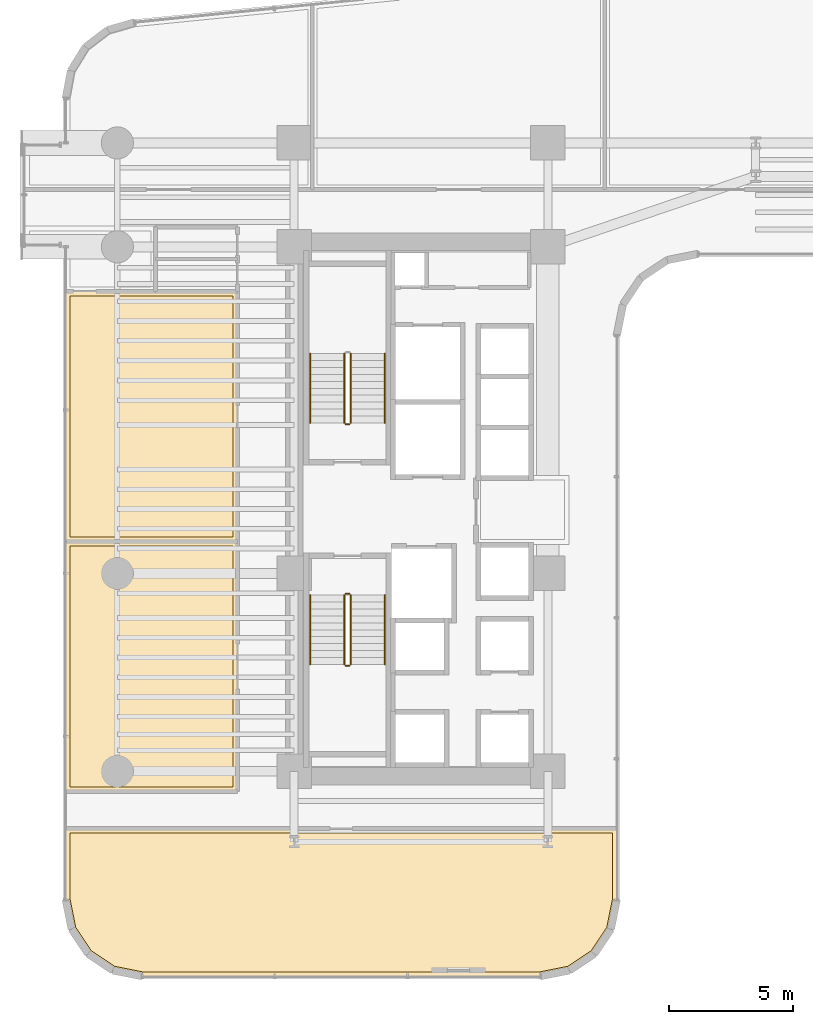
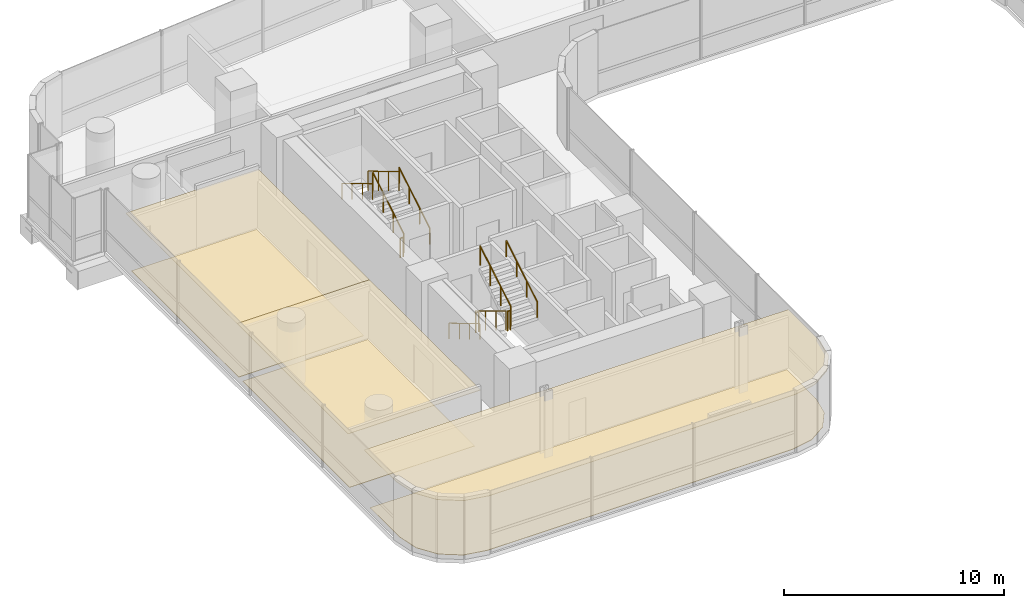
# One storey, part 37 of 40: 11 railings, 6 coverings.
"""IFC4 building model written with IfcOpenShell, lengths in metres."""

import ifcopenshell
import ifcopenshell.guid

model = None  # the IFC model being written
_history = None  # IfcOwnerHistory: only IFC2X3 demands one
_inside = {}  # id of a spatial element -> (the spatial element, [elements in it])
_under = {}  # id of a project, library or spatial element -> (it, [spatial elements below it])
_declared = {}  # id of a project -> (the project, [libraries it declares])
_typed = {}  # id of a type object -> (the type object, [elements of that type])
_made_of = {}  # id of a material, layer set ... -> (it, [elements and type objects made of it])


def new_model(schema):
    """Start an empty IFC model of exactly this schema.

    Asked for "IFC4X3", IfcOpenShell would pick the latest addendum, in which some entities
    have other attributes; the version numbers below select the first issue.
    IFC2X3 requires an IfcOwnerHistory on every rooted entity: one is made here for all.
    """
    global model, _history
    if schema == "IFC4X3":
        model = ifcopenshell.file(schema_version=(4, 3, 0, 0))
    else:
        model = ifcopenshell.file(schema=schema)
    _inside.clear()
    _under.clear()
    _declared.clear()
    _typed.clear()
    _made_of.clear()
    _history = None
    if model.schema == "IFC2X3":
        org = make("IfcOrganization", Name="unknown")
        user = make(
            "IfcPersonAndOrganization",
            ThePerson=make("IfcPerson", FamilyName="unknown"),
            TheOrganization=org,
        )
        app = make(
            "IfcApplication",
            ApplicationDeveloper=org,
            Version="unknown",
            ApplicationFullName="unknown",
            ApplicationIdentifier="unknown",
        )
        _history = make(
            "IfcOwnerHistory",
            OwningUser=user,
            OwningApplication=app,
            ChangeAction="ADDED",
            CreationDate=0,
        )
    return model


def make(cls, **values):
    """One entity of the class cls with the attributes given. An attribute that is None is left unset."""
    return model.create_entity(
        cls, **{name: value for name, value in values.items() if value is not None}
    )


def rooted(cls, **values):
    """An entity with a GlobalId (a new one), such as an element, a storey or a relation."""
    return make(cls, GlobalId=ifcopenshell.guid.new(), OwnerHistory=_history, **values)


def si_unit(unit_type, name, prefix=None):
    """IfcSIUnit, for example si_unit("LENGTHUNIT", "METRE", prefix="MILLI")."""
    return make("IfcSIUnit", UnitType=unit_type, Prefix=prefix, Name=name)


def assignment(units):
    """IfcUnitAssignment: the units of a project."""
    return None if units is None else make("IfcUnitAssignment", Units=units)


def point(xyz):
    """IfcCartesianPoint."""
    return None if xyz is None else make("IfcCartesianPoint", Coordinates=xyz)


def direction(xyz):
    """IfcDirection."""
    return None if xyz is None else make("IfcDirection", DirectionRatios=xyz)


def frame(location, z_axis=None, x_axis=None):
    """IfcAxis2Placement3D, a coordinate frame: its origin and axes. An axis left out is left unset."""
    return make(
        "IfcAxis2Placement3D",
        Location=point(location),
        Axis=direction(z_axis),
        RefDirection=direction(x_axis),
    )


def frame_2d(location, x_axis=None):
    """IfcAxis2Placement2D, a coordinate frame in the plane: its origin and x axis."""
    return make(
        "IfcAxis2Placement2D", Location=point(location), RefDirection=direction(x_axis)
    )


def origin():
    """The frame at (0, 0, 0) with its axes left unset."""
    return frame((0.0, 0.0, 0.0))


def origin_2d():
    """The frame at (0, 0) in the plane with its x axis left unset."""
    return frame_2d((0.0, 0.0))


def place(relative_to, where):
    """IfcLocalPlacement: puts the frame where relative to a parent placement (None: the world)."""
    return make(
        "IfcLocalPlacement", PlacementRelTo=relative_to, RelativePlacement=where
    )


def context(
    kind, dimensions, precision=None, world=None, true_north=None, identifier=None
):
    """IfcGeometricRepresentationContext, for example the 3D "Model" context."""
    return make(
        "IfcGeometricRepresentationContext",
        ContextIdentifier=identifier,
        ContextType=kind,
        CoordinateSpaceDimension=dimensions,
        Precision=precision,
        WorldCoordinateSystem=world,
        TrueNorth=true_north,
    )


def subcontext(parent, identifier, kind, view, scale=None):
    """IfcGeometricRepresentationSubContext, for example "Body" below "Model"."""
    return make(
        "IfcGeometricRepresentationSubContext",
        ContextIdentifier=identifier,
        ContextType=kind,
        ParentContext=parent,
        TargetScale=scale,
        TargetView=view,
    )


def project(units=None, contexts=None):
    """IfcProject with its units and contexts."""
    return rooted(
        "IfcProject",
        Name="project",
        RepresentationContexts=contexts,
        UnitsInContext=assignment(units),
    )


def spatial(cls, under=None, at=None, **own):
    """A site, building, storey or space (cls), placed at a placement, below another one or the project."""
    s = rooted(cls, ObjectPlacement=at, **own)
    if under is not None:
        _under.setdefault(under.id(), (under, []))[1].append(s)
    return s


def polyline(points):
    """IfcPolyline through the points."""
    return make("IfcPolyline", Points=[point(p) for p in points])


def profile(cls, at=None, kind="AREA", **sizes):
    """A parametric profile (cls). Its sizes go by their IFC names, for example OverallWidth=200.0."""
    return make(cls, ProfileType=kind, Position=at, **sizes)


def circle(**sizes):
    """IfcCircleProfileDef."""
    return profile("IfcCircleProfileDef", **sizes)


def outline(outer, holes=None, kind="AREA"):
    """IfcArbitraryClosedProfileDef: a profile drawn as a closed curve; with holes, ...WithVoids."""
    if holes is None:
        return make("IfcArbitraryClosedProfileDef", ProfileType=kind, OuterCurve=outer)
    return make(
        "IfcArbitraryProfileDefWithVoids",
        ProfileType=kind,
        OuterCurve=outer,
        InnerCurves=holes,
    )


def extrude(swept, where, along, depth):
    """IfcExtrudedAreaSolid: the profile swept, set in the frame where, extruded along a direction by depth."""
    return make(
        "IfcExtrudedAreaSolid",
        SweptArea=swept,
        Position=where,
        ExtrudedDirection=direction(along),
        Depth=depth,
    )


def shape(context_of_items, identifier, shape_type, items):
    """IfcShapeRepresentation: the items that make up one representation, for example the "Body"."""
    return make(
        "IfcShapeRepresentation",
        ContextOfItems=context_of_items,
        RepresentationIdentifier=identifier,
        RepresentationType=shape_type,
        Items=items,
    )


def material(Name=None, Category=None):
    """IfcMaterial."""
    return make("IfcMaterial", Name=Name, Category=Category)


def layer(
    of_material, thickness, ventilated=None, Name=None, Category=None, Priority=None
):
    """IfcMaterialLayer: one layer of a wall or slab, of a material (None: an air gap)."""
    return make(
        "IfcMaterialLayer",
        Material=of_material,
        LayerThickness=thickness,
        IsVentilated=ventilated,
        Name=Name,
        Category=Category,
        Priority=Priority,
    )


def layer_set(layers, Name=None):
    """IfcMaterialLayerSet."""
    return make("IfcMaterialLayerSet", MaterialLayers=layers, LayerSetName=Name)


def made_of(thing, what):
    """Note that an element or type object is made of a material, layer set ...; save() writes the relation."""
    if what is not None:
        _made_of.setdefault(what.id(), (what, []))[1].append(thing)
    return thing


def type_object(cls, material=None, **own):
    """A type object (cls), such as IfcWallType, which elements share."""
    return made_of(rooted(cls, **own), material)


def element(
    cls,
    number,
    at=None,
    inside=None,
    cuts=None,
    type_object=None,
    material=None,
    context=None,
    identifier="Body",
    shape_type=None,
    held_by="IfcProductDefinitionShape",
    body=None,
    shapes=None,
    **own,
):
    """One element of the class cls, such as IfcWall. Its Tag is "e" and its number.

    at: its placement. inside: the storey or other place that contains it. cuts: it is an
    opening in that element (IfcRelVoidsElement). A single representation is given by context,
    identifier, shape_type and body (its items); several are given by shapes. held_by: the class
    of the entity that holds the representations. save() writes the other relations.
    """
    e = rooted(cls, Tag="e%d" % number, ObjectPlacement=at, **own)
    if body is not None:
        shapes = [shape(context, identifier, shape_type, body)]
    if shapes is not None:
        e.Representation = make(held_by, Representations=shapes)
    if inside is not None:
        _inside.setdefault(inside.id(), (inside, []))[1].append(e)
    if cuts is not None:
        rooted(
            "IfcRelVoidsElement", RelatingBuildingElement=cuts, RelatedOpeningElement=e
        )
    if type_object is not None:
        _typed.setdefault(type_object.id(), (type_object, []))[1].append(e)
    return made_of(e, material)


def aggregate(whole, parts):
    """IfcRelAggregates: a whole, such as a stair, and the parts it consists of."""
    return rooted("IfcRelAggregates", RelatingObject=whole, RelatedObjects=parts)


def save(model, path):
    """Write the relations noted so far, then the file.

    IfcRelAggregates (storeys below a building ...), IfcRelContainedInSpatialStructure (elements
    in a storey), IfcRelDefinesByType, IfcRelAssociatesMaterial and IfcRelDeclares: one each for
    every whole, place, type object, material and project.
    """
    for whole, parts in _under.values():
        aggregate(whole, parts)
    for where, things in _inside.values():
        rooted(
            "IfcRelContainedInSpatialStructure",
            RelatedElements=things,
            RelatingStructure=where,
        )
    for kind, things in _typed.values():
        rooted("IfcRelDefinesByType", RelatedObjects=things, RelatingType=kind)
    for what, things in _made_of.values():
        rooted("IfcRelAssociatesMaterial", RelatedObjects=things, RelatingMaterial=what)
    for by, libraries in _declared.values():
        rooted("IfcRelDeclares", RelatingContext=by, RelatedDefinitions=libraries)
    model.write(path)


model = new_model("IFC4")

# Units and contexts
model_context = context("Model", 3, precision=1e-05, world=origin(), true_north=direction((0.0, 1.0)))
body_context = subcontext(model_context, "Body", "Model", "MODEL_VIEW")
ifc_project = project(units=[si_unit("LENGTHUNIT", "METRE"), si_unit("AREAUNIT", "SQUARE_METRE"), si_unit("VOLUMEUNIT", "CUBIC_METRE"), si_unit("PLANEANGLEUNIT", "RADIAN"), si_unit("MASSUNIT", "GRAM", prefix="KILO")], contexts=[model_context])

# Site, building, storey
site_placement = place(None, origin())
site = spatial("IfcSite", under=ifc_project, at=site_placement, CompositionType="ELEMENT")
building_placement = place(site_placement, origin())
building = spatial("IfcBuilding", under=site, at=building_placement, Name="Valdorenza Pilgrim Sanctuary Tower", CompositionType="ELEMENT")
storey_placement = place(building_placement, frame((0.0, 0.0, 51.89990234375)))
storey = spatial("IfcBuildingStorey", under=building, at=storey_placement, Name="L12", CompositionType="ELEMENT", Elevation=51.89990234375)

# Coverings
ifc_material_1 = material(Name="Micro-perforated acoustic mineral ceiling tile", Category="gypsum")
ifc_layer_1 = layer(ifc_material_1, 0.02490234375, Name="Micro-perforated acoustic mineral ceiling tile")
ifc_layer_set_1 = layer_set([ifc_layer_1], Name="Micro-perforated acoustic mineral ceiling tile")
covering_type_1 = type_object("IfcCoveringType", Name="COV-CLG-ACU", PredefinedType="CEILING", material=ifc_layer_set_1)
covering_1_placement = place(storey_placement, frame((0.0, 0.0, 3.16015625)))
element("IfcCovering", 1, at=covering_1_placement, inside=storey, type_object=covering_type_1, Name="L12 Sacred Art Exhibition Gallery L12-W1 Acoustic Ceiling", PredefinedType="CEILING", context=body_context, shape_type="SweptSolid", body=[
    extrude(outline(polyline([(-24.93505859375, -11.419921875), (-24.93505859375, -11.42138671875), (-24.935302734375, -11.4228515625), (-24.935546875, -11.42431640625), (-24.93603515625, -11.42578125), (-24.936767578125, -11.427001953125), (-24.9375, -11.42822265625), (-24.9384765625, -11.429443359375), (-24.939453125, -11.4306640625), (-24.9404296875, -11.431640625), (-24.941650390625, -11.4326171875), (-24.94287109375, -11.43310546875), (-24.9443359375, -11.433837890625), (-24.945556640625, -11.434326171875), (-24.947021484375, -11.434814453125), (-24.948486328125, -11.434814453125), (-24.949951171875, -11.43505859375), (-31.889892578125, -11.43505859375), (-31.8916015625, -11.434814453125), (-31.892822265625, -11.434814453125), (-31.894287109375, -11.434326171875), (-31.895751953125, -11.433837890625), (-31.897216796875, -11.43310546875), (-31.898193359375, -11.4326171875), (-31.8994140625, -11.431640625), (-31.900634765625, -11.4306640625), (-31.901611328125, -11.429443359375), (-31.902587890625, -11.42822265625), (-31.9033203125, -11.427001953125), (-31.90380859375, -11.42578125), (-31.904296875, -11.42431640625), (-31.90478515625, -11.4228515625), (-31.90478515625, -11.42138671875), (-31.905029296875, -11.419921875), (-31.905029296875, -1.31005859375), (-31.90478515625, -1.30859375), (-31.90478515625, -1.30712890625), (-31.904296875, -1.3056640625), (-31.90380859375, -1.30419921875), (-31.9033203125, -1.302978515625), (-31.902587890625, -1.3017578125), (-31.901611328125, -1.300537109375), (-31.900634765625, -1.29931640625), (-31.8994140625, -1.29833984375), (-31.898193359375, -1.297607421875), (-31.897216796875, -1.296875), (-31.895751953125, -1.296142578125), (-31.894287109375, -1.295654296875), (-31.892822265625, -1.29541015625), (-31.8916015625, -1.295166015625), (-31.889892578125, -1.294921875), (-24.949951171875, -1.294921875), (-24.948486328125, -1.295166015625), (-24.947021484375, -1.29541015625), (-24.945556640625, -1.295654296875), (-24.9443359375, -1.296142578125), (-24.94287109375, -1.296875), (-24.941650390625, -1.297607421875), (-24.9404296875, -1.29833984375), (-24.939453125, -1.29931640625), (-24.9384765625, -1.300537109375), (-24.9375, -1.3017578125), (-24.936767578125, -1.302978515625), (-24.93603515625, -1.30419921875), (-24.935546875, -1.3056640625), (-24.935302734375, -1.30712890625), (-24.93505859375, -1.30859375), (-24.93505859375, -1.31005859375), (-24.93505859375, -11.419921875)])), origin(), (0.0, 0.0, 1.0), 0.02490234375),
])
covering_2_placement = place(storey_placement, frame((0.0, 0.0, 3.16015625)))
element("IfcCovering", 2, at=covering_2_placement, inside=storey, type_object=covering_type_1, Name="L12 Sacred Manuscript Archive L12-W2 Acoustic Ceiling", PredefinedType="CEILING", context=body_context, shape_type="SweptSolid", body=[
    extrude(outline(polyline([(-28.253662109375, 8.81298828125), (-28.253173828125, 8.81298828125), (-28.25146484375, 8.813232421875), (-28.25, 8.813232421875), (-28.24853515625, 8.81298828125), (-28.248291015625, 8.81298828125), (-24.949951171875, 8.81298828125), (-24.948486328125, 8.81298828125), (-24.947021484375, 8.812744140625), (-24.945556640625, 8.8125), (-24.9443359375, 8.81201171875), (-24.94287109375, 8.811279296875), (-24.941650390625, 8.810546875), (-24.9404296875, 8.8095703125), (-24.939453125, 8.80859375), (-24.9384765625, 8.8076171875), (-24.9375, 8.806396484375), (-24.936767578125, 8.80517578125), (-24.93603515625, 8.8037109375), (-24.935546875, 8.802490234375), (-24.935302734375, 8.80078125), (-24.93505859375, 8.799560546875), (-24.93505859375, 8.798095703125), (-24.93505859375, -1.30810546875), (-24.93505859375, -1.3095703125), (-24.935302734375, -1.310791015625), (-24.935546875, -1.3125), (-24.93603515625, -1.313720703125), (-24.936767578125, -1.315185546875), (-24.9375, -1.31640625), (-24.9384765625, -1.3173828125), (-24.939453125, -1.318603515625), (-24.9404296875, -1.319580078125), (-24.941650390625, -1.320556640625), (-24.94287109375, -1.3212890625), (-24.9443359375, -1.322021484375), (-24.945556640625, -1.322509765625), (-24.947021484375, -1.32275390625), (-24.948486328125, -1.322998046875), (-24.949951171875, -1.322998046875), (-31.889892578125, -1.322998046875), (-31.8916015625, -1.322998046875), (-31.892822265625, -1.32275390625), (-31.894287109375, -1.322509765625), (-31.895751953125, -1.322021484375), (-31.897216796875, -1.3212890625), (-31.898193359375, -1.320556640625), (-31.8994140625, -1.319580078125), (-31.900634765625, -1.318603515625), (-31.901611328125, -1.3173828125), (-31.902587890625, -1.31640625), (-31.9033203125, -1.315185546875), (-31.90380859375, -1.313720703125), (-31.904296875, -1.3125), (-31.90478515625, -1.310791015625), (-31.90478515625, -1.3095703125), (-31.905029296875, -1.30810546875), (-31.905029296875, 8.798095703125), (-31.90478515625, 8.799560546875), (-31.90478515625, 8.80078125), (-31.904296875, 8.802490234375), (-31.90380859375, 8.8037109375), (-31.9033203125, 8.80517578125), (-31.902587890625, 8.806396484375), (-31.901611328125, 8.8076171875), (-31.900634765625, 8.80859375), (-31.8994140625, 8.8095703125), (-31.898193359375, 8.810546875), (-31.897216796875, 8.811279296875), (-31.895751953125, 8.81201171875), (-31.894287109375, 8.8125), (-31.892822265625, 8.812744140625), (-31.8916015625, 8.81298828125), (-31.889892578125, 8.81298828125), (-28.253662109375, 8.81298828125)])), origin(), (0.0, 0.0, 1.0), 0.02490234375),
])
covering_3_placement = place(storey_placement, frame((0.0, 0.0, 3.16015625)))
element("IfcCovering", 3, at=covering_3_placement, inside=storey, type_object=covering_type_1, Name="L12 Pilgrim Scholar Office L12-S1 Acoustic Ceiling", PredefinedType="CEILING", context=body_context, shape_type="SweptSolid", body=[
    extrude(outline(polyline([(-9.594970703125, -15.789306640625), (-9.59521484375, -15.79052734375), (-9.59521484375, -15.7919921875), (-9.83251953125, -16.984619140625), (-9.8330078125, -16.986083984375), (-9.83349609375, -16.9873046875), (-9.833984375, -16.98876953125), (-9.834716796875, -16.989990234375), (-10.504150390625, -17.99169921875), (-10.5048828125, -17.992919921875), (-10.506103515625, -17.993896484375), (-10.507080078125, -17.9951171875), (-10.50830078125, -17.995849609375), (-11.510009765625, -18.665283203125), (-11.51123046875, -18.666015625), (-11.5126953125, -18.66650390625), (-11.513916015625, -18.6669921875), (-11.515380859375, -18.66748046875), (-12.7080078125, -18.90478515625), (-12.70947265625, -18.90478515625), (-12.710693359375, -18.905029296875), (-28.789306640625, -18.905029296875), (-28.79052734375, -18.90478515625), (-28.7919921875, -18.90478515625), (-29.984619140625, -18.66748046875), (-29.986083984375, -18.6669921875), (-29.9873046875, -18.66650390625), (-29.98876953125, -18.666015625), (-29.989990234375, -18.665283203125), (-30.99169921875, -17.995849609375), (-30.992919921875, -17.9951171875), (-30.993896484375, -17.993896484375), (-30.9951171875, -17.992919921875), (-30.995849609375, -17.99169921875), (-31.665283203125, -16.989990234375), (-31.666015625, -16.98876953125), (-31.66650390625, -16.9873046875), (-31.6669921875, -16.986083984375), (-31.66748046875, -16.984619140625), (-31.90478515625, -15.7919921875), (-31.90478515625, -15.79052734375), (-31.905029296875, -15.789306640625), (-31.905029296875, -12.919921875), (-31.90478515625, -12.91845703125), (-31.90478515625, -12.9169921875), (-31.904296875, -12.91552734375), (-31.90380859375, -12.914306640625), (-31.9033203125, -12.912841796875), (-31.902587890625, -12.91162109375), (-31.901611328125, -12.910400390625), (-31.900634765625, -12.909423828125), (-31.8994140625, -12.908447265625), (-31.898193359375, -12.907470703125), (-31.897216796875, -12.90673828125), (-31.895751953125, -12.906005859375), (-31.894287109375, -12.905517578125), (-31.892822265625, -12.9052734375), (-31.8916015625, -12.905029296875), (-31.889892578125, -12.905029296875), (-9.610107421875, -12.905029296875), (-9.6083984375, -12.905029296875), (-9.607177734375, -12.9052734375), (-9.605712890625, -12.905517578125), (-9.604248046875, -12.906005859375), (-9.602783203125, -12.90673828125), (-9.601806640625, -12.907470703125), (-9.6005859375, -12.908447265625), (-9.599365234375, -12.909423828125), (-9.598388671875, -12.910400390625), (-9.597412109375, -12.91162109375), (-9.5966796875, -12.912841796875), (-9.59619140625, -12.914306640625), (-9.595703125, -12.91552734375), (-9.59521484375, -12.9169921875), (-9.59521484375, -12.91845703125), (-9.594970703125, -12.919921875), (-9.594970703125, -15.789306640625)])), origin(), (0.0, 0.0, 1.0), 0.02490234375),
])
ifc_material_2 = material(Name="Honed travertine stone flooring", Category="masonry")
ifc_layer_2 = layer(ifc_material_2, 0.030029296875, Name="Honed travertine stone flooring")
ifc_layer_set_2 = layer_set([ifc_layer_2], Name="Honed travertine stone flooring")
covering_type_2 = type_object("IfcCoveringType", Name="COV-FLR-TRV", PredefinedType="FLOORING", material=ifc_layer_set_2)
covering_4_placement = place(storey_placement, origin())
element("IfcCovering", 4, at=covering_4_placement, inside=storey, type_object=covering_type_2, Name="L12 Sacred Art Exhibition Gallery L12-W1 Flooring", PredefinedType="FLOORING", context=body_context, shape_type="SweptSolid", body=[
    extrude(outline(polyline([(-25.1298828125, -11.239990234375), (-31.7099609375, -11.239990234375), (-31.7099609375, -1.489990234375), (-25.1298828125, -1.489990234375), (-25.1298828125, -11.239990234375)])), origin(), (0.0, 0.0, 1.0), 0.025146484375),
])
covering_5_placement = place(storey_placement, origin())
element("IfcCovering", 5, at=covering_5_placement, inside=storey, type_object=covering_type_2, Name="L12 Sacred Manuscript Archive L12-W2 Flooring", PredefinedType="FLOORING", context=body_context, shape_type="SweptSolid", body=[
    extrude(outline(polyline([(-28.250244140625, 8.617919921875), (-28.25, 8.617919921875), (-25.1298828125, 8.617919921875), (-25.1298828125, -1.1279296875), (-31.7099609375, -1.1279296875), (-31.7099609375, 8.617919921875), (-28.251953125, 8.617919921875), (-28.2509765625, 8.617919921875), (-28.250244140625, 8.617919921875)])), origin(), (0.0, 0.0, 1.0), 0.025146484375),
])
covering_6_placement = place(storey_placement, origin())
element("IfcCovering", 6, at=covering_6_placement, inside=storey, type_object=covering_type_2, Name="L12 Pilgrim Scholar Office L12-S1 Flooring", PredefinedType="FLOORING", context=body_context, shape_type="SweptSolid", body=[
    extrude(outline(polyline([(-9.7900390625, -15.771484375), (-10.016845703125, -16.911376953125), (-10.646484375, -17.853515625), (-11.588623046875, -18.483154296875), (-12.728515625, -18.7099609375), (-28.771484375, -18.7099609375), (-29.911376953125, -18.483154296875), (-30.853515625, -17.853515625), (-31.483154296875, -16.911376953125), (-31.7099609375, -15.771484375), (-31.7099609375, -13.10009765625), (-9.7900390625, -13.10009765625), (-9.7900390625, -15.771484375)])), origin(), (0.0, 0.0, 1.0), 0.025146484375),
])

# Railings
ifc_material_3 = material(Name="Stainless steel Grade 316", Category="steel")
railing_type_1 = type_object("IfcRailingType", Name="RLG-GRD-1120", PredefinedType="GUARDRAIL", material=ifc_material_3)
railing_1_placement = place(storey_placement, frame((-20.3701171875, 3.47998046875, 0.168212890625)))
element("IfcRailing", 7, at=railing_1_placement, inside=storey, type_object=railing_type_1, Name="L12 ST-A1 stair guard 1", PredefinedType="GUARDRAIL", context=body_context, shape_type="SweptSolid", body=[
    extrude(circle(Radius=0.02392578125, at=origin_2d()), frame((0.0, 0.0, 1.076171875), z_axis=(0.0, 0.857242210791, 0.514913383045), x_axis=(-1.0, 0.0, 0.0)), (0.0, 0.0, 1.0), 3.266357421875),
    extrude(circle(Radius=0.02099609375, at=origin_2d()), origin(), (0.0, 0.0, 1.0), 1.052001953125),
    extrude(circle(Radius=0.02099609375, at=origin_2d()), frame((0.0, 0.933349609375, 0.560546875)), (0.0, 0.0, 1.0), 1.052001953125),
    extrude(circle(Radius=0.02099609375, at=origin_2d()), frame((0.0, 1.86669921875, 1.121337890625)), (0.0, 0.0, 1.0), 1.052001953125),
    extrude(circle(Radius=0.02099609375, at=origin_2d()), frame((0.0, 2.800048828125, 1.681884765625)), (0.0, 0.0, 1.0), 1.052001953125),
])
railing_2_placement = place(storey_placement, frame((-20.6201171875, 6.280029296875, 2.018310546875)))
element("IfcRailing", 8, at=railing_2_placement, inside=storey, type_object=railing_type_1, Name="L12 ST-A1 stair guard 3", PredefinedType="GUARDRAIL", context=body_context, shape_type="SweptSolid", body=[
    extrude(circle(Radius=0.02392578125, at=origin_2d()), frame((0.0, 0.0, 1.076171875), z_axis=(0.0, -0.857242210791, 0.514913383045), x_axis=(1.0, 0.0, 0.0)), (0.0, 0.0, 1.0), 3.266357421875),
    extrude(circle(Radius=0.02099609375, at=origin_2d()), origin(), (0.0, 0.0, 1.0), 1.052001953125),
    extrude(circle(Radius=0.02099609375, at=origin_2d()), frame((0.0, -0.933349609375, 0.560546875)), (0.0, 0.0, 1.0), 1.052001953125),
    extrude(circle(Radius=0.02099609375, at=origin_2d()), frame((0.0, -1.86669921875, 1.121337890625)), (0.0, 0.0, 1.0), 1.052001953125),
    extrude(circle(Radius=0.02099609375, at=origin_2d()), frame((0.0, -2.800048828125, 1.681884765625)), (0.0, 0.0, 1.0), 1.052001953125),
])
railing_3_placement = place(storey_placement, frame((-20.419921875, 3.429931640625, 0.0)))
element("IfcRailing", 9, at=railing_3_placement, inside=storey, type_object=railing_type_1, Name="L12 ST-A1 stair guard 4", PredefinedType="GUARDRAIL", context=body_context, shape_type="SweptSolid", body=[
    extrude(circle(Radius=0.02392578125, at=origin_2d()), frame((0.0, 0.0, 1.076171875), z_axis=(-1.0, 0.0, 0.0), x_axis=(0.0, -1.0, 0.0)), (0.0, 0.0, 1.0), 0.150146484375),
    extrude(circle(Radius=0.02099609375, at=origin_2d()), origin(), (0.0, 0.0, 1.0), 1.052001953125),
    extrude(circle(Radius=0.02099609375, at=origin_2d()), frame((-0.150146484375, 0.0, 0.0)), (0.0, 0.0, 1.0), 1.052001953125),
])
railing_4_placement = place(storey_placement, frame((-20.6201171875, -3.47998046875, 0.168212890625)))
element("IfcRailing", 10, at=railing_4_placement, inside=storey, type_object=railing_type_1, Name="L12 ST-A2 stair guard 1", PredefinedType="GUARDRAIL", context=body_context, shape_type="SweptSolid", body=[
    extrude(circle(Radius=0.02392578125, at=origin_2d()), frame((0.0, 0.0, 1.076171875), z_axis=(0.0, -0.857242210791, 0.514913383045), x_axis=(1.0, 0.0, 0.0)), (0.0, 0.0, 1.0), 3.266357421875),
    extrude(circle(Radius=0.02099609375, at=origin_2d()), origin(), (0.0, 0.0, 1.0), 1.052001953125),
    extrude(circle(Radius=0.02099609375, at=origin_2d()), frame((0.0, -0.933349609375, 0.560546875)), (0.0, 0.0, 1.0), 1.052001953125),
    extrude(circle(Radius=0.02099609375, at=origin_2d()), frame((0.0, -1.86669921875, 1.121337890625)), (0.0, 0.0, 1.0), 1.052001953125),
    extrude(circle(Radius=0.02099609375, at=origin_2d()), frame((0.0, -2.800048828125, 1.681884765625)), (0.0, 0.0, 1.0), 1.052001953125),
])
railing_5_placement = place(storey_placement, frame((-20.570068359375, -6.330078125, 1.85009765625)))
element("IfcRailing", 11, at=railing_5_placement, inside=storey, type_object=railing_type_1, Name="L12 ST-A2 stair guard 2", PredefinedType="GUARDRAIL", context=body_context, shape_type="SweptSolid", body=[
    extrude(circle(Radius=0.02392578125, at=origin_2d()), frame((0.0, 0.0, 1.076171875), z_axis=(1.0, 0.0, 0.0), x_axis=(0.0, 1.0, 0.0)), (0.0, 0.0, 1.0), 0.150146484375),
    extrude(circle(Radius=0.02099609375, at=origin_2d()), origin(), (0.0, 0.0, 1.0), 1.052001953125),
    extrude(circle(Radius=0.02099609375, at=origin_2d()), frame((0.150146484375, 0.0, 0.0)), (0.0, 0.0, 1.0), 1.052001953125),
])
railing_6_placement = place(storey_placement, frame((-20.3701171875, -6.280029296875, 2.018310546875)))
element("IfcRailing", 12, at=railing_6_placement, inside=storey, type_object=railing_type_1, Name="L12 ST-A2 stair guard 3", PredefinedType="GUARDRAIL", context=body_context, shape_type="SweptSolid", body=[
    extrude(circle(Radius=0.02392578125, at=origin_2d()), frame((0.0, 0.0, 1.076171875), z_axis=(0.0, 0.857242210791, 0.514913383045), x_axis=(-1.0, 0.0, 0.0)), (0.0, 0.0, 1.0), 3.266357421875),
    extrude(circle(Radius=0.02099609375, at=origin_2d()), origin(), (0.0, 0.0, 1.0), 1.052001953125),
    extrude(circle(Radius=0.02099609375, at=origin_2d()), frame((0.0, 0.933349609375, 0.560546875)), (0.0, 0.0, 1.0), 1.052001953125),
    extrude(circle(Radius=0.02099609375, at=origin_2d()), frame((0.0, 1.86669921875, 1.121337890625)), (0.0, 0.0, 1.0), 1.052001953125),
    extrude(circle(Radius=0.02099609375, at=origin_2d()), frame((0.0, 2.800048828125, 1.681884765625)), (0.0, 0.0, 1.0), 1.052001953125),
])
railing_7_placement = place(storey_placement, frame((-20.570068359375, -3.429931640625, 0.0)))
element("IfcRailing", 13, at=railing_7_placement, inside=storey, type_object=railing_type_1, Name="L12 ST-A2 stair guard 4", PredefinedType="GUARDRAIL", context=body_context, shape_type="SweptSolid", body=[
    extrude(circle(Radius=0.02392578125, at=origin_2d()), frame((0.0, 0.0, 1.076171875), z_axis=(1.0, 0.0, 0.0), x_axis=(0.0, 1.0, 0.0)), (0.0, 0.0, 1.0), 0.150146484375),
    extrude(circle(Radius=0.02099609375, at=origin_2d()), origin(), (0.0, 0.0, 1.0), 1.052001953125),
    extrude(circle(Radius=0.02099609375, at=origin_2d()), frame((0.150146484375, 0.0, 0.0)), (0.0, 0.0, 1.0), 1.052001953125),
])
ifc_material_4 = material(Name="Brushed stainless steel Grade 316", Category="steel")
railing_type_2 = type_object("IfcRailingType", Name="RLG-HND-920", PredefinedType="HANDRAIL", material=ifc_material_4)
railing_8_placement = place(storey_placement, frame((-18.989990234375, 3.47998046875, 0.168212890625)))
element("IfcRailing", 14, at=railing_8_placement, inside=storey, type_object=railing_type_2, Name="L12 ST-A1 stair handrail 1", PredefinedType="HANDRAIL", context=body_context, shape_type="SweptSolid", body=[
    extrude(circle(Radius=0.02392578125, at=origin_2d()), frame((0.0, 0.0, 0.8759765625), z_axis=(0.0, 0.857242210791, 0.514913383045), x_axis=(-1.0, 0.0, 0.0)), (0.0, 0.0, 1.0), 3.266357421875),
    extrude(circle(Radius=0.02099609375, at=origin_2d()), origin(), (0.0, 0.0, 1.0), 0.851806640625),
    extrude(circle(Radius=0.02099609375, at=origin_2d()), frame((0.0, 0.933349609375, 0.560546875)), (0.0, 0.0, 1.0), 0.851806640625),
    extrude(circle(Radius=0.02099609375, at=origin_2d()), frame((0.0, 1.86669921875, 1.121337890625)), (0.0, 0.0, 1.0), 0.851806640625),
    extrude(circle(Radius=0.02099609375, at=origin_2d()), frame((0.0, 2.800048828125, 1.681884765625)), (0.0, 0.0, 1.0), 0.851806640625),
])
for number, where, name in (
    (15, (-22.0, 6.280029296875, 2.018310546875), "L12 ST-A1 stair handrail 2"),
    (16, (-22.0, -3.47998046875, 0.168212890625), "L12 ST-A2 stair handrail 1"),
):
    element("IfcRailing", number, at=place(storey_placement, frame(where)), inside=storey, type_object=railing_type_2, Name=name, PredefinedType="HANDRAIL", context=body_context, shape_type="SweptSolid", body=[
        extrude(circle(Radius=0.02392578125, at=origin_2d()), frame((0.0, 0.0, 0.8759765625), z_axis=(0.0, -0.857242210791, 0.514913383045), x_axis=(1.0, 0.0, 0.0)), (0.0, 0.0, 1.0), 3.266357421875),
        extrude(circle(Radius=0.02099609375, at=origin_2d()), origin(), (0.0, 0.0, 1.0), 0.851806640625),
        extrude(circle(Radius=0.02099609375, at=origin_2d()), frame((0.0, -0.933349609375, 0.560546875)), (0.0, 0.0, 1.0), 0.851806640625),
        extrude(circle(Radius=0.02099609375, at=origin_2d()), frame((0.0, -1.86669921875, 1.121337890625)), (0.0, 0.0, 1.0), 0.851806640625),
        extrude(circle(Radius=0.02099609375, at=origin_2d()), frame((0.0, -2.800048828125, 1.681884765625)), (0.0, 0.0, 1.0), 0.851806640625),
    ])
railing_9_placement = place(storey_placement, frame((-18.989990234375, -6.280029296875, 2.018310546875)))
element("IfcRailing", 17, at=railing_9_placement, inside=storey, type_object=railing_type_2, Name="L12 ST-A2 stair handrail 2", PredefinedType="HANDRAIL", context=body_context, shape_type="SweptSolid", body=[
    extrude(circle(Radius=0.02392578125, at=origin_2d()), frame((0.0, 0.0, 0.8759765625), z_axis=(0.0, 0.857242210791, 0.514913383045), x_axis=(-1.0, 0.0, 0.0)), (0.0, 0.0, 1.0), 3.266357421875),
    extrude(circle(Radius=0.02099609375, at=origin_2d()), origin(), (0.0, 0.0, 1.0), 0.851806640625),
    extrude(circle(Radius=0.02099609375, at=origin_2d()), frame((0.0, 0.933349609375, 0.560546875)), (0.0, 0.0, 1.0), 0.851806640625),
    extrude(circle(Radius=0.02099609375, at=origin_2d()), frame((0.0, 1.86669921875, 1.121337890625)), (0.0, 0.0, 1.0), 0.851806640625),
    extrude(circle(Radius=0.02099609375, at=origin_2d()), frame((0.0, 2.800048828125, 1.681884765625)), (0.0, 0.0, 1.0), 0.851806640625),
])

save(model, "model.ifc")
